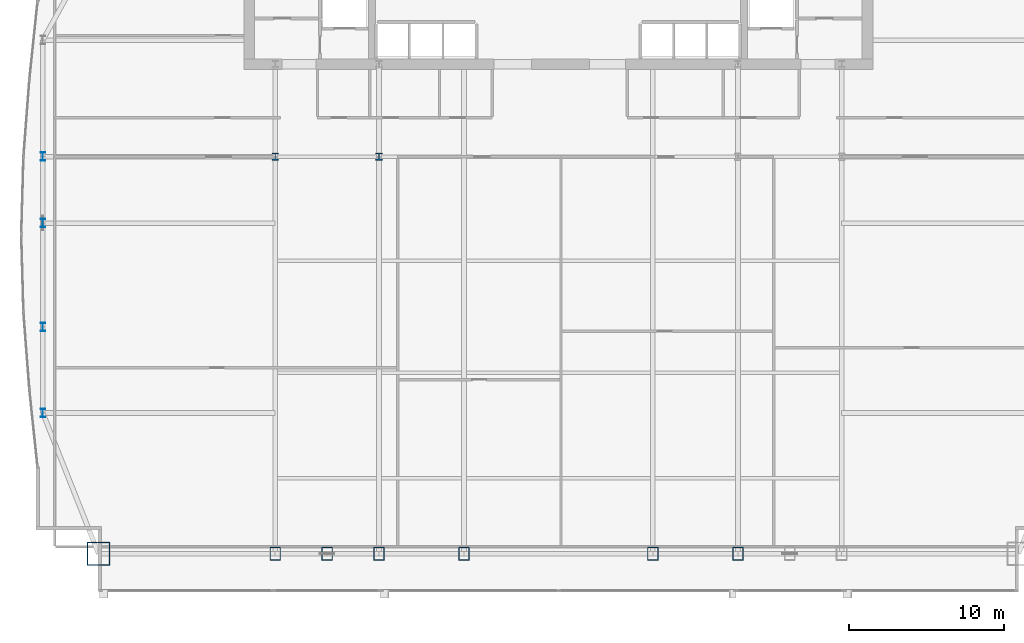
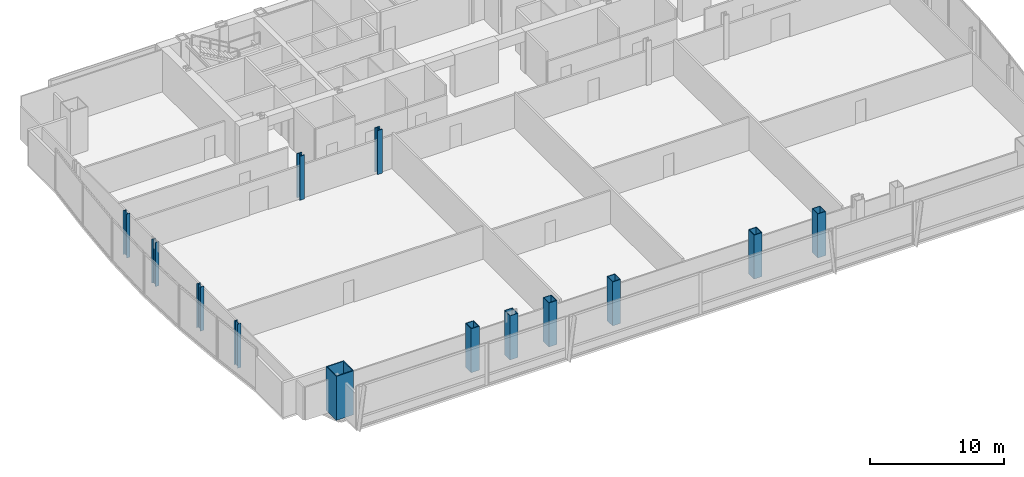
# One storey, part 1 of 30: 13 columns.
"""IFC4 building model written with IfcOpenShell, lengths in metres."""

from ifc_helpers import new_model, si_unit, direction, frame, origin, origin_2d, place, context, subcontext, project, spatial, hollow_rectangle, i_section, extrude, material, material_profile, profile_set, type_object, element, save


model = new_model("IFC4")

# Units and contexts
model_context = context("Model", 3, precision=1e-05, world=origin(), true_north=direction((0.0, 1.0)))
body_context = subcontext(model_context, "Body", "Model", "MODEL_VIEW")
ifc_project = project(units=[si_unit("LENGTHUNIT", "METRE"), si_unit("AREAUNIT", "SQUARE_METRE"), si_unit("VOLUMEUNIT", "CUBIC_METRE"), si_unit("PLANEANGLEUNIT", "RADIAN"), si_unit("MASSUNIT", "GRAM", prefix="KILO")], contexts=[model_context])

# Site, building, storey
site_placement = place(None, origin())
site = spatial("IfcSite", under=ifc_project, at=site_placement, CompositionType="ELEMENT")
building_placement = place(site_placement, origin())
building = spatial("IfcBuilding", under=site, at=building_placement, Name="Khoronbel Lancet Exchange", CompositionType="ELEMENT")
storey_placement = place(building_placement, frame((0.0, 0.0, 90.60009765625)))
storey = spatial("IfcBuildingStorey", under=building, at=storey_placement, Name="L21", CompositionType="ELEMENT", Elevation=90.60009765625)

# Columns
ifc_material_1 = material(Name="Steel S460", Category="steel")
ifc_material_profile_1 = material_profile(ifc_material_1, hollow_rectangle(XDim=0.699951171875, YDim=0.85009765625, WallThickness=0.050048828125, at=origin_2d()), Name="BOX 850x700x50")
ifc_profile_set_1 = profile_set([ifc_material_profile_1], Name="Steel S460")
column_type_1 = type_object("IfcColumnType", Name="COL-EC2", PredefinedType="COLUMN", material=ifc_profile_set_1)
for number, where, z_axis, x_axis, name in (
    (1, (18.22509765625, 10.14990234375, 0.0), (0.0, 0.0, 1.0), (1.0, 0.0, 0.0), "Structural column SC-W1 L21"),
    (2, (21.5625, 10.14990234375, 0.0), (0.0, 0.0, 1.0), (1.0, 0.0, 0.0), "Structural column SC-WM L21"),
    (3, (24.89990234375, 10.14990234375, 0.0), (0.0, 0.0, 1.0), (1.0, 0.0, 0.0), "Structural column SC-W2 L21"),
    (4, (30.375, 10.14990234375, 0.0), (0.0, 0.0, 1.0), (1.0, 0.0, 0.0), "Structural column SC-C1 L21"),
    (5, (42.52490234375, 10.14990234375, 0.0), (0.0, 0.0, 1.0), (1.0, 0.0, 0.0), "Structural column SC-C2 L21"),
    (6, (48.0, 10.14990234375, 0.0), (0.0, 0.0, 1.0), (1.0, 0.0, 0.0), "Structural column SC-E1 L21"),
):
    element("IfcColumn", number, at=place(storey_placement, frame(where, z_axis=z_axis, x_axis=x_axis)), inside=storey, type_object=column_type_1, Name=name, PredefinedType="COLUMN", context=body_context, shape_type="SweptSolid", body=[
        extrude(hollow_rectangle(XDim=0.699951171875, YDim=0.85009765625, WallThickness=0.050048828125, at=origin_2d()), origin(), (0.0, 0.0, 1.0), 4.0),
    ])
ifc_material_profile_2 = material_profile(ifc_material_1, i_section(OverallWidth=0.424072265625, OverallDepth=0.47412109375, WebThickness=0.047607421875, FlangeThickness=0.076904296875, at=origin_2d()), Name="HD 400x634")
ifc_profile_set_2 = profile_set([ifc_material_profile_2], Name="Steel S460")
column_type_2 = type_object("IfcColumnType", Name="COL-IC1", PredefinedType="COLUMN", material=ifc_profile_set_2)
for number, where, z_axis, x_axis, name in (
    (7, (18.22509765625, 35.699951171875, 0.0), (0.0, 0.0, 1.0), (1.0, 0.0, 0.0), "Spine gravity column TC1 L21"),
    (8, (24.89990234375, 35.699951171875, 0.0), (0.0, 0.0, 1.0), (1.0, 0.0, 0.0), "Spine gravity column TC2 L21"),
):
    element("IfcColumn", number, at=place(storey_placement, frame(where, z_axis=z_axis, x_axis=x_axis)), inside=storey, type_object=column_type_2, Name=name, PredefinedType="COLUMN", context=body_context, shape_type="SweptSolid", body=[
        extrude(i_section(OverallWidth=0.424072265625, OverallDepth=0.47412109375, WebThickness=0.047607421875, FlangeThickness=0.076904296875, at=origin_2d()), origin(), (0.0, 0.0, 1.0), 4.0),
    ])
ifc_material_2 = material(Name="Steel S355", Category="steel")
ifc_material_profile_3 = material_profile(ifc_material_2, i_section(OverallWidth=0.300048828125, OverallDepth=0.550048828125, WebThickness=0.014892578125, FlangeThickness=0.029052734375, at=origin_2d()), Name="HEB 550")
ifc_profile_set_3 = profile_set([ifc_material_profile_3], Name="Steel S355")
column_type_3 = type_object("IfcColumnType", Name="COL-LC1", PredefinedType="COLUMN", material=ifc_profile_set_3)
for number, where, z_axis, x_axis, name in (
    (9, (3.27001953125, 19.199951171875, 0.0), (0.0, 0.0, 1.0), (1.0, 0.0, 0.0), "Structural column WC-1 L21"),
    (10, (3.27001953125, 24.75, 0.0), (0.0, 0.0, 1.0), (1.0, 0.0, 0.0), "Structural column WC-2 L21"),
    (11, (3.27001953125, 31.425048828125, 0.0), (0.0, 0.0, 1.0), (1.0, 0.0, 0.0), "Structural column WC-M L21"),
    (12, (3.27001953125, 35.699951171875, 0.0), (0.0, 0.0, 1.0), (1.0, 0.0, 0.0), "Structural column WC-3 L21"),
):
    element("IfcColumn", number, at=place(storey_placement, frame(where, z_axis=z_axis, x_axis=x_axis)), inside=storey, type_object=column_type_3, Name=name, PredefinedType="COLUMN", context=body_context, shape_type="SweptSolid", body=[
        extrude(i_section(OverallWidth=0.300048828125, OverallDepth=0.550048828125, WebThickness=0.014892578125, FlangeThickness=0.029052734375, at=origin_2d()), origin(), (0.0, 0.0, 1.0), 4.0),
    ])
ifc_material_profile_4 = material_profile(ifc_material_1, hollow_rectangle(XDim=1.5, YDim=1.5, WallThickness=0.070068359375, at=origin_2d()), Name="BOX 1500x1500x70")
ifc_profile_set_4 = profile_set([ifc_material_profile_4], Name="Steel S460")
column_type_4 = type_object("IfcColumnType", Name="COL-MC3", PredefinedType="COLUMN", material=ifc_profile_set_4)
column_placement = place(storey_placement, frame((6.85009765625, 10.14990234375, 0.0), z_axis=(0.0, 0.0, 1.0), x_axis=(1.0, 0.0, 0.0)))
element("IfcColumn", 13, at=column_placement, inside=storey, type_object=column_type_4, Name="Structural column MC-SW L21", PredefinedType="COLUMN", context=body_context, shape_type="SweptSolid", body=[
    extrude(hollow_rectangle(XDim=1.5, YDim=1.5, WallThickness=0.070068359375, at=origin_2d()), origin(), (0.0, 0.0, 1.0), 4.0),
])

save(model, "model.ifc")
